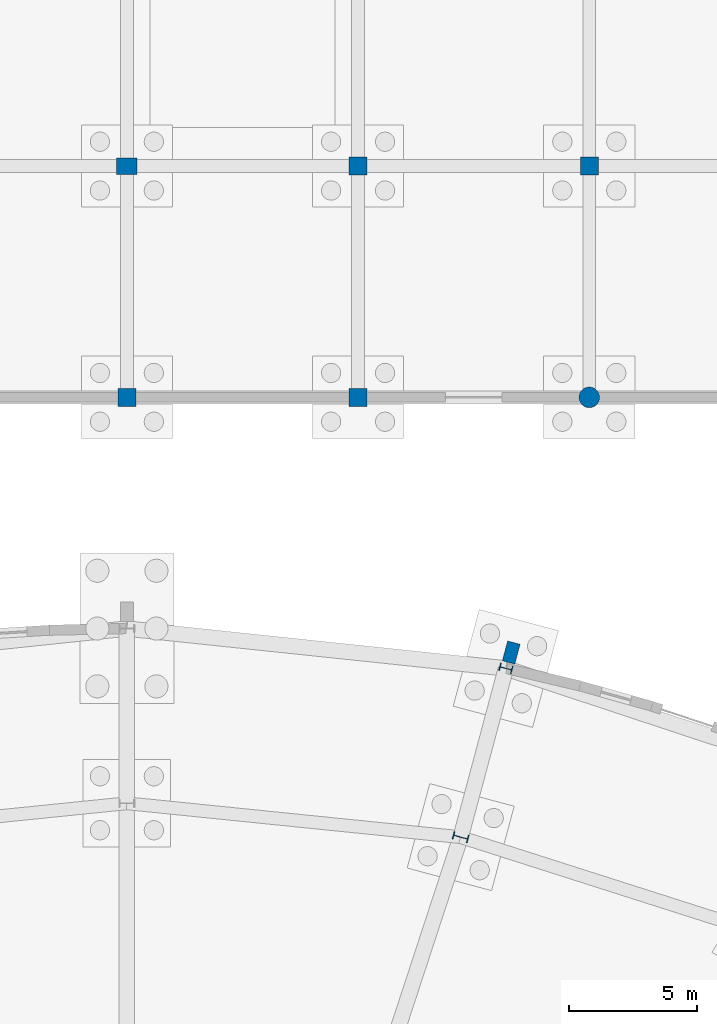
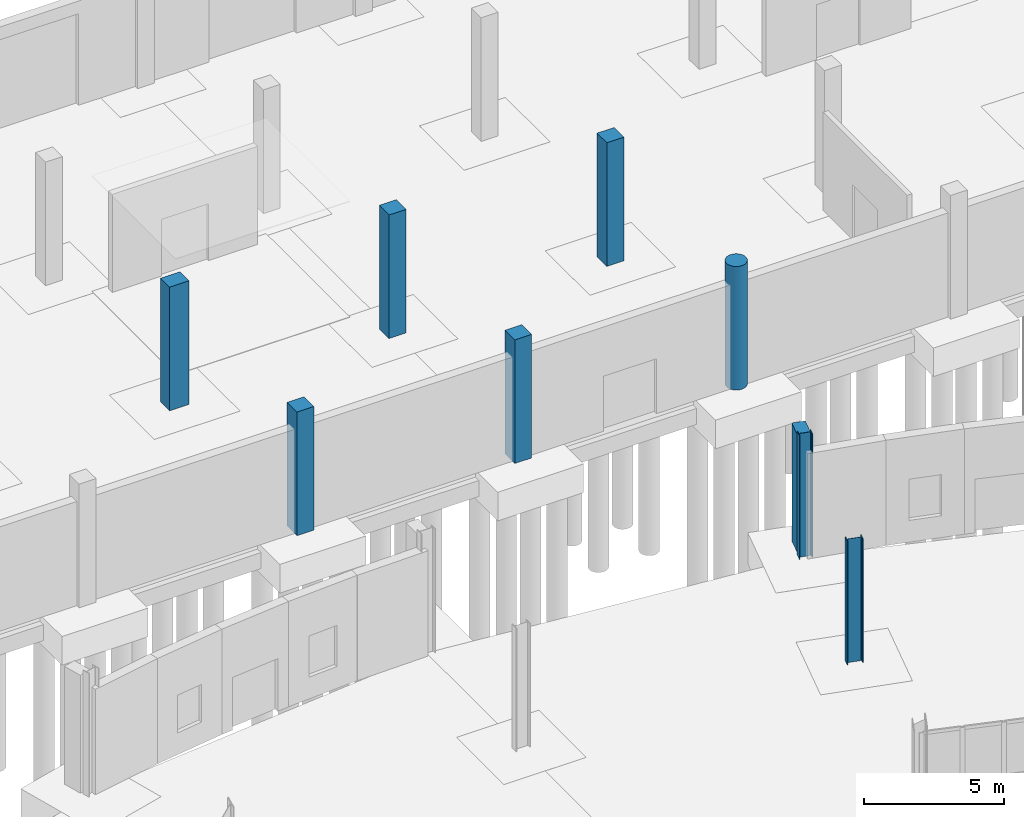
# One storey, part 46 of 118: 9 columns.
"""IFC4 building model written with IfcOpenShell, lengths in metres."""

from ifc_helpers import new_model, si_unit, direction, frame, origin, origin_2d, place, context, subcontext, project, spatial, rectangle, circle, i_section, extrude, material, material_profile, profile_set, type_object, element, save


model = new_model("IFC4")

# Units and contexts
model_context = context("Model", 3, precision=1e-05, world=origin(), true_north=direction((0.0, 1.0)))
body_context = subcontext(model_context, "Body", "Model", "MODEL_VIEW")
ifc_project = project(units=[si_unit("LENGTHUNIT", "METRE"), si_unit("AREAUNIT", "SQUARE_METRE"), si_unit("VOLUMEUNIT", "CUBIC_METRE"), si_unit("PLANEANGLEUNIT", "RADIAN"), si_unit("MASSUNIT", "GRAM", prefix="KILO")], contexts=[model_context])

# Site, building, storey
site_placement = place(None, origin())
site = spatial("IfcSite", under=ifc_project, at=site_placement, CompositionType="ELEMENT")
building_placement = place(site_placement, origin())
building = spatial("IfcBuilding", under=site, at=building_placement, Name="Kildeholm Park Wholesale Market", CompositionType="ELEMENT")
storey_placement = place(building_placement, origin())
storey = spatial("IfcBuildingStorey", under=building, at=storey_placement, Name="L00", CompositionType="ELEMENT", Elevation=0.0)

# Columns
ifc_material_1 = material(Name="Concrete C40/50", Category="concrete")
ifc_material_profile_1 = material_profile(ifc_material_1, rectangle(XDim=0.699951171875, YDim=0.699951171875, at=origin_2d()), Name="RC 700x700")
ifc_profile_set_1 = profile_set([ifc_material_profile_1], Name="Concrete C40/50")
column_type_1 = type_object("IfcColumnType", Name="Column C-R03 RC 700x700", PredefinedType="COLUMN", material=ifc_profile_set_1)
for number, where, z_axis, x_axis, name in (
    (1, (99.0, 144.0, 0.0), (0.0, 0.0, 1.0), (1.0, 0.0, 0.0), "Column V4-099-144 L00 COL-0530"),
    (2, (108.0, 144.0, 0.0), (0.0, 0.0, 1.0), (1.0, 0.0, 0.0), "Column V4-108-144 L00 COL-0541"),
    (3, (108.0, 153.0, 0.0), (0.0, 0.0, 1.0), (1.0, 0.0, 0.0), "Column V4-108-153 L00 COL-0543"),
    (4, (117.0, 153.0, 0.0), (0.0, 0.0, 1.0), (1.0, 0.0, 0.0), "Column V4-117-153 L00 COL-0554"),
):
    element("IfcColumn", number, at=place(storey_placement, frame(where, z_axis=z_axis, x_axis=x_axis)), inside=storey, type_object=column_type_1, Name=name, PredefinedType="COLUMN", context=body_context, shape_type="SweptSolid", body=[
        extrude(rectangle(XDim=0.699951171875, YDim=0.699951171875, at=origin_2d()), origin(), (0.0, 0.0, 1.0), 5.39990234375),
    ])
ifc_material_profile_2 = material_profile(ifc_material_1, rectangle(XDim=0.800048828125, YDim=0.64990234375, at=origin_2d()), Name="RC 800x650")
ifc_profile_set_2 = profile_set([ifc_material_profile_2], Name="Concrete C40/50")
column_type_2 = type_object("IfcColumnType", Name="Column C-R04 RC 800x650", PredefinedType="COLUMN", material=ifc_profile_set_2)
column_1_placement = place(storey_placement, frame((99.0, 153.0, 0.0), z_axis=(0.0, 0.0, 1.0), x_axis=(1.0, 0.0, 0.0)))
element("IfcColumn", 5, at=column_1_placement, inside=storey, type_object=column_type_2, Name="Column V4-099-153 L00 COL-0532", PredefinedType="COLUMN", context=body_context, shape_type="SweptSolid", body=[
    extrude(rectangle(XDim=0.800048828125, YDim=0.64990234375, at=origin_2d()), origin(), (0.0, 0.0, 1.0), 5.39990234375),
])
ifc_material_profile_3 = material_profile(ifc_material_1, circle(Radius=0.39990234375, at=origin_2d()), Name="RC D800")
ifc_profile_set_3 = profile_set([ifc_material_profile_3], Name="Concrete C40/50")
column_type_3 = type_object("IfcColumnType", Name="Column C-R05 RC D800", PredefinedType="COLUMN", material=ifc_profile_set_3)
column_2_placement = place(storey_placement, frame((117.0, 144.0, 0.0), z_axis=(0.0, 0.0, 1.0), x_axis=(1.0, 0.0, 0.0)))
element("IfcColumn", 6, at=column_2_placement, inside=storey, type_object=column_type_3, Name="Column V4-117-144 L00 COL-0552", PredefinedType="COLUMN", context=body_context, shape_type="SweptSolid", body=[
    extrude(circle(Radius=0.39990234375, at=origin_2d()), origin(), (0.0, 0.0, 1.0), 5.39990234375),
])
ifc_material_2 = material(Name="Steel S355", Category="steel")
ifc_material_profile_4 = material_profile(ifc_material_2, i_section(OverallWidth=0.300048828125, OverallDepth=0.5, WebThickness=0.014404296875, FlangeThickness=0.028076171875, FilletRadius=0.027099609375, at=origin_2d()), Name="HEB 500")
ifc_profile_set_4 = profile_set([ifc_material_profile_4], Name="Steel S355")
column_type_4 = type_object("IfcColumnType", Name="Column C-S07 HEB 500", PredefinedType="COLUMN", material=ifc_profile_set_4)
column_3_placement = place(storey_placement, frame((113.7529296875, 133.449951171875, 0.0), z_axis=(0.0, 0.0, 1.0), x_axis=(0.258819045103, 0.965925826289, 0.0)))
element("IfcColumn", 7, at=column_3_placement, inside=storey, type_object=column_type_4, Name="Column V1-OT-05 L00 COL-0052", PredefinedType="COLUMN", context=body_context, shape_type="SweptSolid", body=[
    extrude(i_section(OverallWidth=0.300048828125, OverallDepth=0.5, WebThickness=0.014404296875, FlangeThickness=0.028076171875, FilletRadius=0.027099609375, at=origin_2d()), origin(), (0.0, 0.0, 1.0), 5.39990234375),
])
ifc_material_profile_5 = material_profile(ifc_material_2, i_section(OverallWidth=0.300048828125, OverallDepth=0.60009765625, WebThickness=0.015380859375, FlangeThickness=0.030029296875, FilletRadius=0.027099609375, at=origin_2d()), Name="HEB 600")
ifc_profile_set_5 = profile_set([ifc_material_profile_5], Name="Steel S355")
column_type_5 = type_object("IfcColumnType", Name="Column C-S08 HEB 600", PredefinedType="COLUMN", material=ifc_profile_set_5)
column_4_placement = place(storey_placement, frame((111.992919921875, 126.881103515625, 0.0), z_axis=(0.0, 0.0, 1.0), x_axis=(0.258819045103, 0.965925826289, 0.0)))
element("IfcColumn", 8, at=column_4_placement, inside=storey, type_object=column_type_5, Name="Column V1-MD-05 L00 COL-0049", PredefinedType="COLUMN", context=body_context, shape_type="SweptSolid", body=[
    extrude(i_section(OverallWidth=0.300048828125, OverallDepth=0.60009765625, WebThickness=0.015380859375, FlangeThickness=0.030029296875, FilletRadius=0.027099609375, at=origin_2d()), origin(), (0.0, 0.0, 1.0), 5.39990234375),
])
ifc_material_3 = material(Name="Precast concrete C40/50", Category="concrete")
ifc_material_profile_6 = material_profile(ifc_material_3, rectangle(XDim=0.800048828125, YDim=0.5, at=origin_2d()), Name="PIL 800x500")
ifc_profile_set_6 = profile_set([ifc_material_profile_6], Name="Precast concrete C40/50")
column_type_6 = type_object("IfcColumnType", Name="Column PL-M01 PIL 800x500", PredefinedType="PILASTER", material=ifc_profile_set_6)
column_5_placement = place(storey_placement, frame((113.9599609375, 134.06591796875, 0.0), z_axis=(0.0, 0.0, 1.0), x_axis=(0.258819045103, 0.965925826289, 0.0)))
element("IfcColumn", 9, at=column_5_placement, inside=storey, type_object=column_type_6, Name="Market ring pilaster 6 COL-0054", PredefinedType="PILASTER", context=body_context, shape_type="SweptSolid", body=[
    extrude(rectangle(XDim=0.800048828125, YDim=0.5, at=origin_2d()), origin(), (0.0, 0.0, 1.0), 5.14990234375),
])

save(model, "model.ifc")
